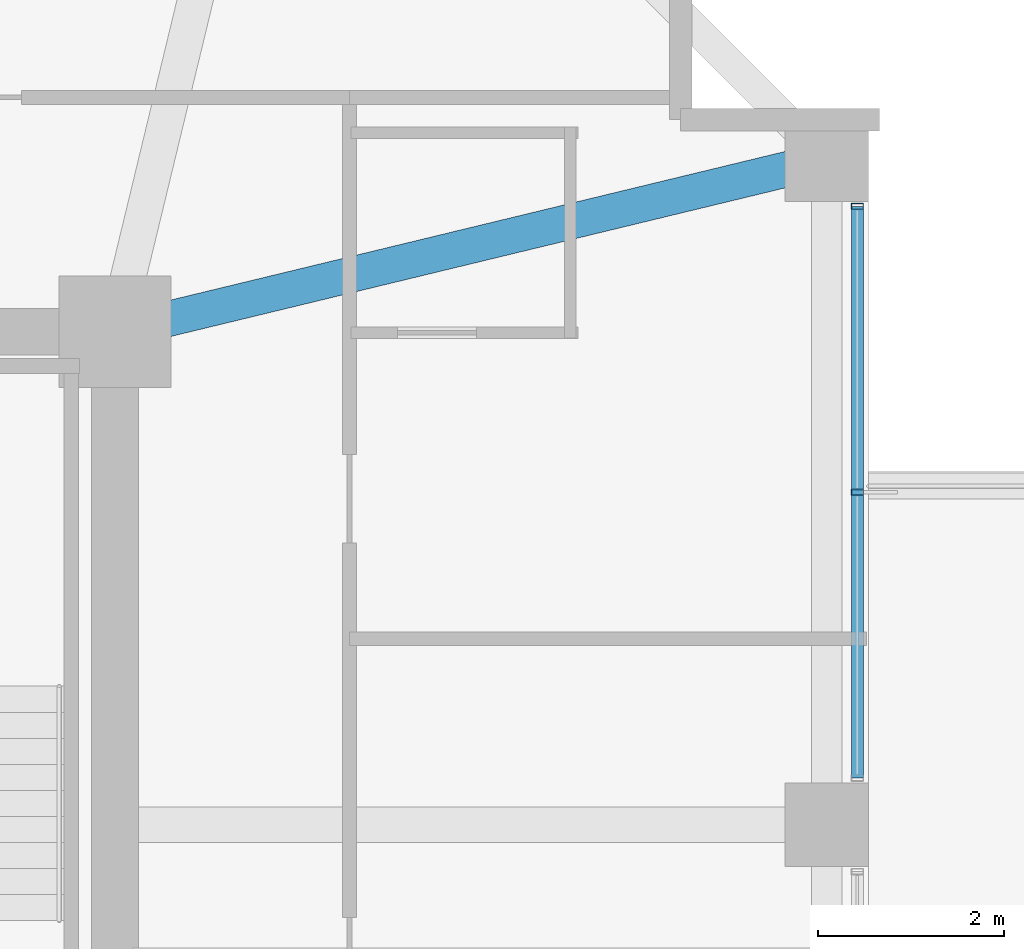
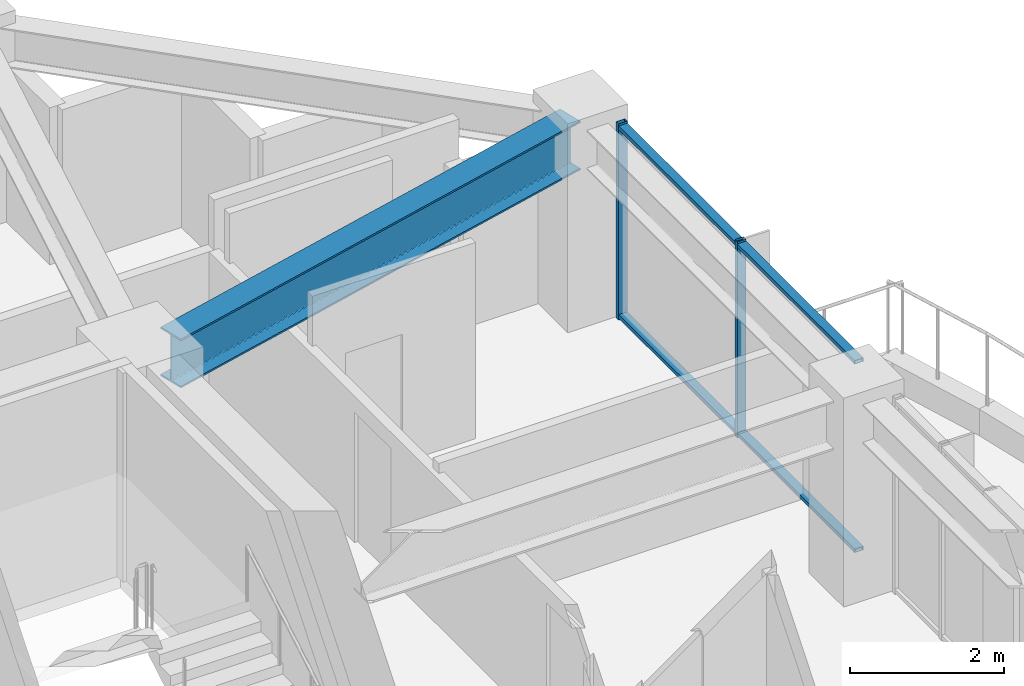
# One storey, part 16 of 32: 4 members, 1 beam, 1 element without a shape of its own.
"""IFC4 building model written with IfcOpenShell, lengths in metres."""

from ifc_helpers import new_model, si_unit, direction, frame, origin, origin_2d, place, context, subcontext, project, spatial, hollow_rectangle, i_section, extrude, material, material_profile, profile_set, type_object, element, aggregate, save


model = new_model("IFC4")

# Units and contexts
model_context = context("Model", 3, precision=1e-05, world=origin(), true_north=direction((0.0, 1.0)))
body_context = subcontext(model_context, "Body", "Model", "MODEL_VIEW")
ifc_project = project(units=[si_unit("LENGTHUNIT", "METRE"), si_unit("AREAUNIT", "SQUARE_METRE"), si_unit("VOLUMEUNIT", "CUBIC_METRE"), si_unit("PLANEANGLEUNIT", "RADIAN"), si_unit("MASSUNIT", "GRAM", prefix="KILO")], contexts=[model_context])

# Site, building, storey
site_placement = place(None, origin())
site = spatial("IfcSite", under=ifc_project, at=site_placement, CompositionType="ELEMENT")
building_placement = place(site_placement, origin())
building = spatial("IfcBuilding", under=site, at=building_placement, Name="Kolvaren Belvedere", CompositionType="ELEMENT")
storey_placement = place(building_placement, frame((0.0, 0.0, 141.5)))
storey = spatial("IfcBuildingStorey", under=building, at=storey_placement, Name="L41", CompositionType="ELEMENT", Elevation=141.5)

# Beam
ifc_material_1 = material(Name="Structural steel ASTM A992 Grade 50", Category="steel")
ifc_material_profile_1 = material_profile(ifc_material_1, i_section(OverallWidth=0.381103515625, OverallDepth=0.77294921875, WebThickness=0.0166015625, FlangeThickness=0.027099609375, FilletRadius=0.02392578125, at=origin_2d()), Name="W30X173")
ifc_profile_set_1 = profile_set([ifc_material_profile_1], Name="Structural steel ASTM A992 Grade 50")
beam_type = type_object("IfcBeamType", Name="BM-GIRD-W30X173", PredefinedType="BEAM", material=ifc_profile_set_1)
beam_placement = place(storey_placement, frame((10.4345703125, 10.029296875, 2.71337890625), z_axis=(0.971980197119, 0.235062749937, 0.0), x_axis=(-0.235062749937, 0.971980197119, 0.0)))
element("IfcBeam", 1, at=beam_placement, inside=storey, type_object=beam_type, Name="L41 Corner Core-to-Perimeter Girder CC3-E4", PredefinedType="BEAM", context=body_context, shape_type="SweptSolid", body=[
    extrude(i_section(OverallWidth=0.381103515625, OverallDepth=0.77294921875, WebThickness=0.0166015625, FlangeThickness=0.027099609375, FilletRadius=0.02392578125, at=origin_2d()), origin(), (0.0, 0.0, 1.0), 7.140625),
])

# Curtain wall, members
ifc_material_2 = material(Name="Anodised pale-metal aluminium AA 6063-T6", Category="aluminium")
curtain_wall_type = type_object("IfcCurtainWallType", Name="CW-Z3-WAIST", PredefinedType="NOTDEFINED", material=ifc_material_2)
curtain_wall_placement = place(storey_placement, origin())
curtain_wall = element("IfcCurtainWall", 2, at=curtain_wall_placement, inside=storey, type_object=curtain_wall_type, Name="L41 Unitised Curtain Wall FCW-L41-E1-B1", PredefinedType="NOTDEFINED")
ifc_material_3 = material(Name="Anodised pale-metal aluminium AA 6063-T6", Category="aluminium")
ifc_material_profile_2 = material_profile(ifc_material_3, hollow_rectangle(XDim=0.06494140625, YDim=0.1298828125, WallThickness=0.00390625, at=origin_2d()), Name="ALU-MUL-130X65")
ifc_profile_set_2 = profile_set([ifc_material_profile_2], Name="Anodised pale-metal aluminium AA 6063-T6")
member_type_1 = type_object("IfcMemberType", Name="CW-MUL-130", PredefinedType="MULLION", material=ifc_profile_set_2)
member_1_placement = place(storey_placement, frame((17.8798828125, 11.24755859375, 0.0), z_axis=(0.0, 0.0, 1.0), x_axis=(0.0, 1.0, 0.0)))
member_1 = element("IfcMember", 3, at=member_1_placement, type_object=member_type_1, Name="FCW-L41-E1-B1 Unitised Mullion 1", PredefinedType="MULLION", context=body_context, shape_type="SweptSolid", body=[
    extrude(hollow_rectangle(XDim=0.06494140625, YDim=0.1298828125, WallThickness=0.00390625, at=origin_2d()), origin(), (0.0, 0.0, 1.0), 3.10009765625),
])
member_2_placement = place(storey_placement, frame((17.8798828125, 8.175048828125, 0.0), z_axis=(0.0, 0.0, 1.0), x_axis=(0.0, 1.0, 0.0)))
member_2 = element("IfcMember", 4, at=member_2_placement, type_object=member_type_1, Name="FCW-L41-E1-B1 Unitised Mullion 2", PredefinedType="MULLION", context=body_context, shape_type="SweptSolid", body=[
    extrude(hollow_rectangle(XDim=0.06494140625, YDim=0.1298828125, WallThickness=0.00390625, at=origin_2d()), origin(), (0.0, 0.0, 1.0), 3.10009765625),
])
ifc_material_4 = material(Name="Anodised pale-metal aluminium AA 6063-T6", Category="aluminium")
ifc_material_profile_3 = material_profile(ifc_material_4, hollow_rectangle(XDim=0.06005859375, YDim=0.1298828125, WallThickness=0.00390625, at=origin_2d()), Name="ALU-TRN-130X60")
ifc_profile_set_3 = profile_set([ifc_material_profile_3], Name="Anodised pale-metal aluminium AA 6063-T6")
member_type_2 = type_object("IfcMemberType", Name="CW-TRN-130", PredefinedType="USERDEFINED", material=ifc_profile_set_3)
member_3_placement = place(storey_placement, frame((17.8798828125, 11.24755859375, 0.06005859375), z_axis=(0.0, -1.0, 0.0), x_axis=(0.0, 0.0, 1.0)))
member_3 = element("IfcMember", 5, at=member_3_placement, type_object=member_type_2, Name="FCW-L41-E1-B1 Sill Transom", ObjectType="TRANSOM", PredefinedType="USERDEFINED", context=body_context, shape_type="SweptSolid", body=[
    extrude(hollow_rectangle(XDim=0.06005859375, YDim=0.1298828125, WallThickness=0.00390625, at=origin_2d()), origin(), (0.0, 0.0, 1.0), 6.14501953125),
])
member_4_placement = place(storey_placement, frame((17.8798828125, 11.24755859375, 3.0400390625), z_axis=(0.0, -1.0, 0.0), x_axis=(0.0, 0.0, 1.0)))
member_4 = element("IfcMember", 6, at=member_4_placement, type_object=member_type_2, Name="FCW-L41-E1-B1 Head Transom", ObjectType="TRANSOM", PredefinedType="USERDEFINED", context=body_context, shape_type="SweptSolid", body=[
    extrude(hollow_rectangle(XDim=0.06005859375, YDim=0.1298828125, WallThickness=0.00390625, at=origin_2d()), origin(), (0.0, 0.0, 1.0), 6.14501953125),
])
aggregate(curtain_wall, [member_1, member_2, member_3, member_4])

save(model, "model.ifc")
